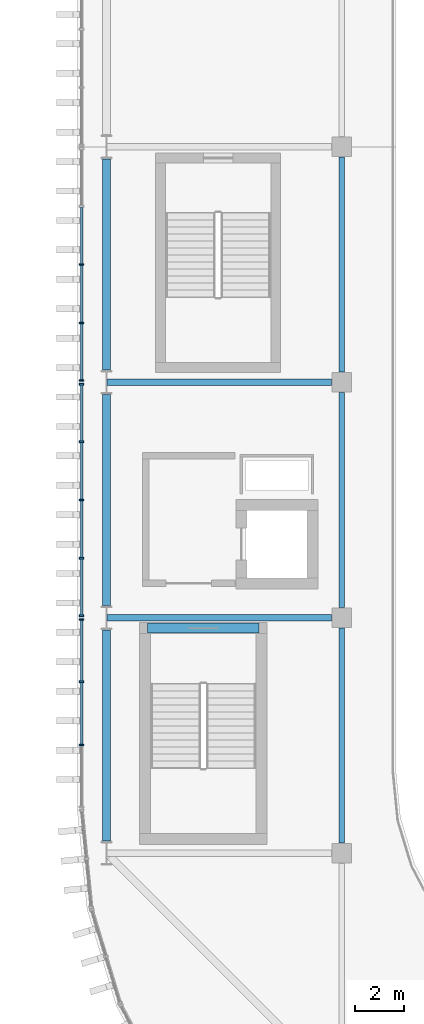
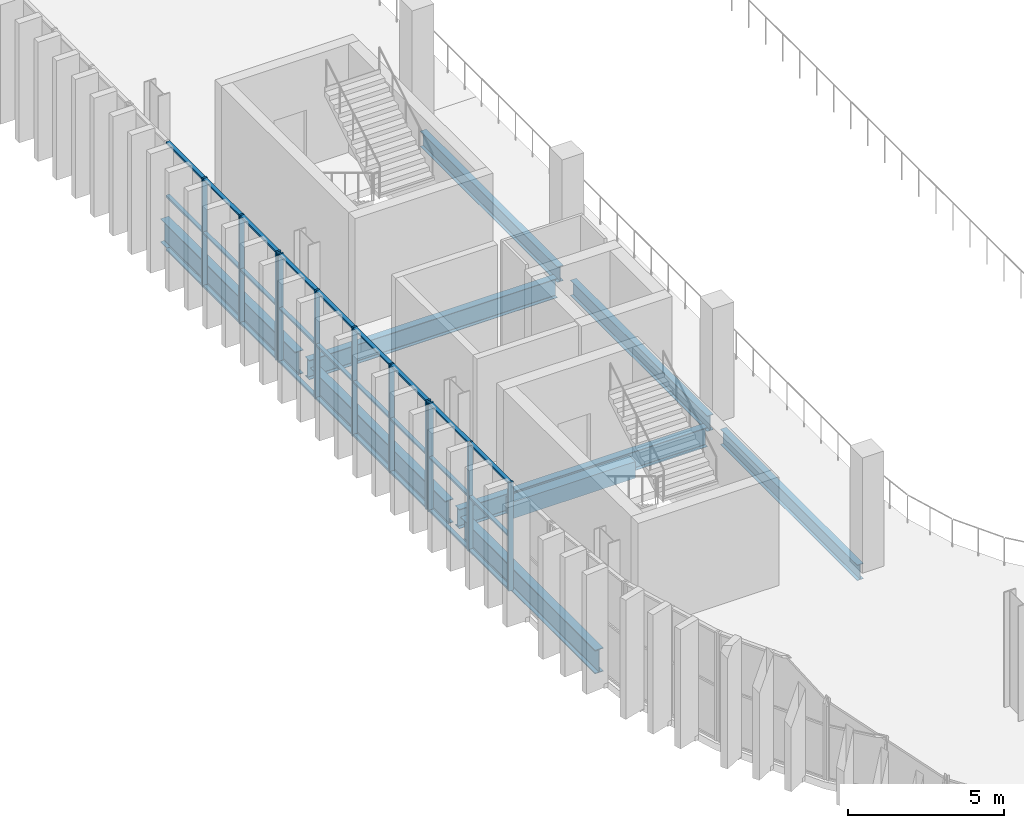
# One storey, part 7 of 75: 38 members, 9 beams, 3 elements without a shape of their own.
"""IFC4 building model written with IfcOpenShell, lengths in metres."""

from ifc_helpers import new_model, si_unit, direction, frame, origin, origin_2d, place, context, subcontext, project, spatial, rectangle, i_section, extrude, material, layer, layer_set, material_profile, profile_set, type_object, element, aggregate, save


model = new_model("IFC4")

# Units and contexts
model_context = context("Model", 3, precision=1e-05, world=origin(), true_north=direction((0.0, 1.0)))
body_context = subcontext(model_context, "Body", "Model", "MODEL_VIEW")
ifc_project = project(units=[si_unit("LENGTHUNIT", "METRE"), si_unit("AREAUNIT", "SQUARE_METRE"), si_unit("VOLUMEUNIT", "CUBIC_METRE"), si_unit("PLANEANGLEUNIT", "RADIAN"), si_unit("MASSUNIT", "GRAM", prefix="KILO")], contexts=[model_context])

# Site, building, storey
site_placement = place(None, origin())
site = spatial("IfcSite", under=ifc_project, at=site_placement, CompositionType="ELEMENT")
building_placement = place(site_placement, origin())
building = spatial("IfcBuilding", under=site, at=building_placement, Name="Caelomonte Colonnade Arena", CompositionType="ELEMENT")
storey_placement = place(building_placement, frame((0.0, 0.0, 14.10009765625)))
storey = spatial("IfcBuildingStorey", under=building, at=storey_placement, Name="L03", CompositionType="ELEMENT", Elevation=14.10009765625)

# Curtain wall, members
ifc_material_1 = material(Name="Bronze anodised aluminium and low-E glazing", Category="aluminium")
ifc_layer_1 = layer(ifc_material_1, 0.179931640625)
ifc_layer_set_1 = layer_set([ifc_layer_1], Name="Bronze anodised aluminium and low-E glazing")
curtain_wall_type_1 = type_object("IfcCurtainWallType", Name="ENV-CW-CW-L03-96-42", PredefinedType="USERDEFINED", material=ifc_layer_set_1)
curtain_wall_1_placement = place(storey_placement, origin())
curtain_wall_1 = element("IfcCurtainWall", 1, at=curtain_wall_1_placement, inside=storey, type_object=curtain_wall_type_1, Name="L03 unitized curtain wall CW-L03-0566-0624", ObjectType="UNITIZED CURTAIN WALL", PredefinedType="USERDEFINED")
ifc_material_2 = material(Name="Bronze anodised aluminium AA6063-T6", Category="aluminium")
ifc_material_profile_1 = material_profile(ifc_material_2, rectangle(XDim=0.070068359375, YDim=0.179931640625, at=origin_2d()), Name="CWM-70X180")
ifc_profile_set_1 = profile_set([ifc_material_profile_1], Name="Bronze anodised aluminium AA6063-T6")
member_type_1 = type_object("IfcMemberType", Name="ENV-CW-MULL1", PredefinedType="MULLION", material=ifc_profile_set_1)
member_1_placement = place(storey_placement, frame((56.580078125, 62.39990234375, 0.0), z_axis=(0.0, 0.0, 1.0), x_axis=(0.0, -1.0, 0.0)))
member_1 = element("IfcMember", 2, at=member_1_placement, type_object=member_type_1, Name="CW-L03-96-42 mullion 3", PredefinedType="MULLION", context=body_context, shape_type="SweptSolid", body=[
    extrude(rectangle(XDim=0.070068359375, YDim=0.179931640625, at=origin_2d()), origin(), (0.0, 0.0, 1.0), 4.239990234375),
])
member_2_placement = place(storey_placement, frame((56.580078125, 60.02001953125, 0.0), z_axis=(0.0, 0.0, 1.0), x_axis=(0.0, -1.0, 0.0)))
member_2 = element("IfcMember", 3, at=member_2_placement, type_object=member_type_1, Name="CW-L03-96-42 mullion 4", PredefinedType="MULLION", context=body_context, shape_type="SweptSolid", body=[
    extrude(rectangle(XDim=0.070068359375, YDim=0.179931640625, at=origin_2d()), origin(), (0.0, 0.0, 1.0), 4.239990234375),
])
member_3_placement = place(storey_placement, frame((56.580078125, 57.675048828125, 0.0), z_axis=(0.0, 0.0, 1.0), x_axis=(0.0, -1.0, 0.0)))
member_3 = element("IfcMember", 4, at=member_3_placement, type_object=member_type_1, Name="CW-L03-96-42 mullion 5", PredefinedType="MULLION", context=body_context, shape_type="SweptSolid", body=[
    extrude(rectangle(XDim=0.070068359375, YDim=0.179931640625, at=origin_2d()), origin(), (0.0, 0.0, 1.0), 4.239990234375),
])

curtain_wall_2_placement = place(storey_placement, origin())
curtain_wall_2 = element("IfcCurtainWall", 5, at=curtain_wall_2_placement, inside=storey, type_object=curtain_wall_type_1, Name="L03 unitized curtain wall CW-L03-0566-0528", ObjectType="UNITIZED CURTAIN WALL", PredefinedType="USERDEFINED")
member_4_placement = place(storey_placement, frame((56.580078125, 57.52490234375, 0.0), z_axis=(0.0, 0.0, 1.0), x_axis=(0.0, -1.0, 0.0)))
member_4 = element("IfcMember", 6, at=member_4_placement, type_object=member_type_1, Name="CW-L03-96-42 mullion 1", PredefinedType="MULLION", context=body_context, shape_type="SweptSolid", body=[
    extrude(rectangle(XDim=0.070068359375, YDim=0.179931640625, at=origin_2d()), origin(), (0.0, 0.0, 1.0), 4.239990234375),
])
member_5_placement = place(storey_placement, frame((56.580078125, 55.179931640625, 0.0), z_axis=(0.0, 0.0, 1.0), x_axis=(0.0, -1.0, 0.0)))
member_5 = element("IfcMember", 7, at=member_5_placement, type_object=member_type_1, Name="CW-L03-96-42 mullion 2", PredefinedType="MULLION", context=body_context, shape_type="SweptSolid", body=[
    extrude(rectangle(XDim=0.070068359375, YDim=0.179931640625, at=origin_2d()), origin(), (0.0, 0.0, 1.0), 4.239990234375),
])
member_6_placement = place(storey_placement, frame((56.580078125, 52.800048828125, 0.0), z_axis=(0.0, 0.0, 1.0), x_axis=(0.0, -1.0, 0.0)))
member_6 = element("IfcMember", 8, at=member_6_placement, type_object=member_type_1, Name="CW-L03-96-42 mullion 3", PredefinedType="MULLION", context=body_context, shape_type="SweptSolid", body=[
    extrude(rectangle(XDim=0.070068359375, YDim=0.179931640625, at=origin_2d()), origin(), (0.0, 0.0, 1.0), 4.239990234375),
])
member_7_placement = place(storey_placement, frame((56.580078125, 50.419921875, 0.0), z_axis=(0.0, 0.0, 1.0), x_axis=(0.0, -1.0, 0.0)))
member_7 = element("IfcMember", 9, at=member_7_placement, type_object=member_type_1, Name="CW-L03-96-42 mullion 4", PredefinedType="MULLION", context=body_context, shape_type="SweptSolid", body=[
    extrude(rectangle(XDim=0.070068359375, YDim=0.179931640625, at=origin_2d()), origin(), (0.0, 0.0, 1.0), 4.239990234375),
])
member_8_placement = place(storey_placement, frame((56.580078125, 48.074951171875, 0.0), z_axis=(0.0, 0.0, 1.0), x_axis=(0.0, -1.0, 0.0)))
member_8 = element("IfcMember", 10, at=member_8_placement, type_object=member_type_1, Name="CW-L03-96-42 mullion 5", PredefinedType="MULLION", context=body_context, shape_type="SweptSolid", body=[
    extrude(rectangle(XDim=0.070068359375, YDim=0.179931640625, at=origin_2d()), origin(), (0.0, 0.0, 1.0), 4.239990234375),
])

ifc_layer_2 = layer(ifc_material_1, 0.179931640625)
ifc_layer_set_2 = layer_set([ifc_layer_2], Name="Bronze anodised aluminium and low-E glazing")
curtain_wall_type_2 = type_object("IfcCurtainWallType", Name="ENV-CW-CW-L03-79-42", PredefinedType="USERDEFINED", material=ifc_layer_set_2)
curtain_wall_3_placement = place(storey_placement, origin())
curtain_wall_3 = element("IfcCurtainWall", 11, at=curtain_wall_3_placement, inside=storey, type_object=curtain_wall_type_2, Name="L03 unitized curtain wall CW-L03-0566-0440", ObjectType="UNITIZED CURTAIN WALL", PredefinedType="USERDEFINED")
member_9_placement = place(storey_placement, frame((56.580078125, 47.925048828125, 0.0), z_axis=(0.0, 0.0, 1.0), x_axis=(0.0, -1.0, 0.0)))
member_9 = element("IfcMember", 12, at=member_9_placement, type_object=member_type_1, Name="CW-L03-79-42 mullion 1", PredefinedType="MULLION", context=body_context, shape_type="SweptSolid", body=[
    extrude(rectangle(XDim=0.070068359375, YDim=0.179931640625, at=origin_2d()), origin(), (0.0, 0.0, 1.0), 4.239990234375),
])
member_10_placement = place(storey_placement, frame((56.580078125, 45.38671875, 0.0), z_axis=(0.0, 0.0, 1.0), x_axis=(0.0, -1.0, 0.0)))
member_10 = element("IfcMember", 13, at=member_10_placement, type_object=member_type_1, Name="CW-L03-79-42 mullion 2", PredefinedType="MULLION", context=body_context, shape_type="SweptSolid", body=[
    extrude(rectangle(XDim=0.070068359375, YDim=0.179931640625, at=origin_2d()), origin(), (0.0, 0.0, 1.0), 4.239990234375),
])
member_11_placement = place(storey_placement, frame((56.580078125, 42.813232421875, 0.0), z_axis=(0.0, 0.0, 1.0), x_axis=(0.0, -1.0, 0.0)))
member_11 = element("IfcMember", 14, at=member_11_placement, type_object=member_type_1, Name="CW-L03-79-42 mullion 3", PredefinedType="MULLION", context=body_context, shape_type="SweptSolid", body=[
    extrude(rectangle(XDim=0.070068359375, YDim=0.179931640625, at=origin_2d()), origin(), (0.0, 0.0, 1.0), 4.239990234375),
])

# Member
ifc_material_profile_2 = material_profile(ifc_material_2, rectangle(XDim=0.070068359375, YDim=0.139892578125, at=origin_2d()), Name="CWT-70X140")
ifc_profile_set_2 = profile_set([ifc_material_profile_2], Name="Bronze anodised aluminium AA6063-T6")
member_type_2 = type_object("IfcMemberType", Name="ENV-CW-TRAN1", PredefinedType="USERDEFINED", material=ifc_profile_set_2)
member_12_placement = place(storey_placement, frame((56.580078125, 64.7451171875, 0.034912109375), z_axis=(0.0, -1.0, 0.0), x_axis=(0.0, 0.0, 1.0)))
member_12 = element("IfcMember", 15, at=member_12_placement, type_object=member_type_2, Name="CW-L03-96-42 transom 2.1", ObjectType="TRANSOM", PredefinedType="USERDEFINED", context=body_context, shape_type="SweptSolid", body=[
    extrude(rectangle(XDim=0.070068359375, YDim=0.139892578125, at=origin_2d()), origin(), (0.0, 0.0, 1.0), 2.31005859375),
])

member_13_placement = place(storey_placement, frame((56.580078125, 64.7451171875, 2.119873046875), z_axis=(0.0, -1.0, 0.0), x_axis=(0.0, 0.0, 1.0)))
member_13 = element("IfcMember", 16, at=member_13_placement, type_object=member_type_2, Name="CW-L03-96-42 transom 2.2", ObjectType="TRANSOM", PredefinedType="USERDEFINED", context=body_context, shape_type="SweptSolid", body=[
    extrude(rectangle(XDim=0.070068359375, YDim=0.139892578125, at=origin_2d()), origin(), (0.0, 0.0, 1.0), 2.31005859375),
])

member_14_placement = place(storey_placement, frame((56.580078125, 64.7451171875, 4.204833984375), z_axis=(0.0, -1.0, 0.0), x_axis=(0.0, 0.0, 1.0)))
member_14 = element("IfcMember", 17, at=member_14_placement, type_object=member_type_2, Name="CW-L03-96-42 transom 2.3", ObjectType="TRANSOM", PredefinedType="USERDEFINED", context=body_context, shape_type="SweptSolid", body=[
    extrude(rectangle(XDim=0.070068359375, YDim=0.139892578125, at=origin_2d()), origin(), (0.0, 0.0, 1.0), 2.31005859375),
])

member_15_placement = place(storey_placement, frame((56.580078125, 62.364990234375, 0.034912109375), z_axis=(0.0, -1.0, 0.0), x_axis=(0.0, 0.0, 1.0)))
member_15 = element("IfcMember", 18, at=member_15_placement, type_object=member_type_2, Name="CW-L03-96-42 transom 3.1", ObjectType="TRANSOM", PredefinedType="USERDEFINED", context=body_context, shape_type="SweptSolid", body=[
    extrude(rectangle(XDim=0.070068359375, YDim=0.139892578125, at=origin_2d()), origin(), (0.0, 0.0, 1.0), 2.31005859375),
])

member_16_placement = place(storey_placement, frame((56.580078125, 62.364990234375, 2.119873046875), z_axis=(0.0, -1.0, 0.0), x_axis=(0.0, 0.0, 1.0)))
member_16 = element("IfcMember", 19, at=member_16_placement, type_object=member_type_2, Name="CW-L03-96-42 transom 3.2", ObjectType="TRANSOM", PredefinedType="USERDEFINED", context=body_context, shape_type="SweptSolid", body=[
    extrude(rectangle(XDim=0.070068359375, YDim=0.139892578125, at=origin_2d()), origin(), (0.0, 0.0, 1.0), 2.31005859375),
])

member_17_placement = place(storey_placement, frame((56.580078125, 62.364990234375, 4.204833984375), z_axis=(0.0, -1.0, 0.0), x_axis=(0.0, 0.0, 1.0)))
member_17 = element("IfcMember", 20, at=member_17_placement, type_object=member_type_2, Name="CW-L03-96-42 transom 3.3", ObjectType="TRANSOM", PredefinedType="USERDEFINED", context=body_context, shape_type="SweptSolid", body=[
    extrude(rectangle(XDim=0.070068359375, YDim=0.139892578125, at=origin_2d()), origin(), (0.0, 0.0, 1.0), 2.31005859375),
])

member_18_placement = place(storey_placement, frame((56.580078125, 59.985107421875, 0.034912109375), z_axis=(0.0, -1.0, 0.0), x_axis=(0.0, 0.0, 1.0)))
member_18 = element("IfcMember", 21, at=member_18_placement, type_object=member_type_2, Name="CW-L03-96-42 transom 4.1", ObjectType="TRANSOM", PredefinedType="USERDEFINED", context=body_context, shape_type="SweptSolid", body=[
    extrude(rectangle(XDim=0.070068359375, YDim=0.139892578125, at=origin_2d()), origin(), (0.0, 0.0, 1.0), 2.275146484375),
])

member_19_placement = place(storey_placement, frame((56.580078125, 59.985107421875, 2.119873046875), z_axis=(0.0, -1.0, 0.0), x_axis=(0.0, 0.0, 1.0)))
member_19 = element("IfcMember", 22, at=member_19_placement, type_object=member_type_2, Name="CW-L03-96-42 transom 4.2", ObjectType="TRANSOM", PredefinedType="USERDEFINED", context=body_context, shape_type="SweptSolid", body=[
    extrude(rectangle(XDim=0.070068359375, YDim=0.139892578125, at=origin_2d()), origin(), (0.0, 0.0, 1.0), 2.275146484375),
])

member_20_placement = place(storey_placement, frame((56.580078125, 59.985107421875, 4.204833984375), z_axis=(0.0, -1.0, 0.0), x_axis=(0.0, 0.0, 1.0)))
member_20 = element("IfcMember", 23, at=member_20_placement, type_object=member_type_2, Name="CW-L03-96-42 transom 4.3", ObjectType="TRANSOM", PredefinedType="USERDEFINED", context=body_context, shape_type="SweptSolid", body=[
    extrude(rectangle(XDim=0.070068359375, YDim=0.139892578125, at=origin_2d()), origin(), (0.0, 0.0, 1.0), 2.275146484375),
])

aggregate(curtain_wall_1, [member_1, member_2, member_3, member_12, member_13, member_14, member_15, member_16, member_17, member_18, member_19, member_20])

member_21_placement = place(storey_placement, frame((56.580078125, 57.489990234375, 0.034912109375), z_axis=(0.0, -1.0, 0.0), x_axis=(0.0, 0.0, 1.0)))
member_21 = element("IfcMember", 24, at=member_21_placement, type_object=member_type_2, Name="CW-L03-96-42 transom 1.1", ObjectType="TRANSOM", PredefinedType="USERDEFINED", context=body_context, shape_type="SweptSolid", body=[
    extrude(rectangle(XDim=0.070068359375, YDim=0.139892578125, at=origin_2d()), origin(), (0.0, 0.0, 1.0), 2.27490234375),
])

member_22_placement = place(storey_placement, frame((56.580078125, 57.489990234375, 2.119873046875), z_axis=(0.0, -1.0, 0.0), x_axis=(0.0, 0.0, 1.0)))
member_22 = element("IfcMember", 25, at=member_22_placement, type_object=member_type_2, Name="CW-L03-96-42 transom 1.2", ObjectType="TRANSOM", PredefinedType="USERDEFINED", context=body_context, shape_type="SweptSolid", body=[
    extrude(rectangle(XDim=0.070068359375, YDim=0.139892578125, at=origin_2d()), origin(), (0.0, 0.0, 1.0), 2.27490234375),
])

member_23_placement = place(storey_placement, frame((56.580078125, 57.489990234375, 4.204833984375), z_axis=(0.0, -1.0, 0.0), x_axis=(0.0, 0.0, 1.0)))
member_23 = element("IfcMember", 26, at=member_23_placement, type_object=member_type_2, Name="CW-L03-96-42 transom 1.3", ObjectType="TRANSOM", PredefinedType="USERDEFINED", context=body_context, shape_type="SweptSolid", body=[
    extrude(rectangle(XDim=0.070068359375, YDim=0.139892578125, at=origin_2d()), origin(), (0.0, 0.0, 1.0), 2.27490234375),
])

member_24_placement = place(storey_placement, frame((56.580078125, 55.14501953125, 0.034912109375), z_axis=(0.0, -1.0, 0.0), x_axis=(0.0, 0.0, 1.0)))
member_24 = element("IfcMember", 27, at=member_24_placement, type_object=member_type_2, Name="CW-L03-96-42 transom 2.1", ObjectType="TRANSOM", PredefinedType="USERDEFINED", context=body_context, shape_type="SweptSolid", body=[
    extrude(rectangle(XDim=0.070068359375, YDim=0.139892578125, at=origin_2d()), origin(), (0.0, 0.0, 1.0), 2.31005859375),
])

member_25_placement = place(storey_placement, frame((56.580078125, 55.14501953125, 2.119873046875), z_axis=(0.0, -1.0, 0.0), x_axis=(0.0, 0.0, 1.0)))
member_25 = element("IfcMember", 28, at=member_25_placement, type_object=member_type_2, Name="CW-L03-96-42 transom 2.2", ObjectType="TRANSOM", PredefinedType="USERDEFINED", context=body_context, shape_type="SweptSolid", body=[
    extrude(rectangle(XDim=0.070068359375, YDim=0.139892578125, at=origin_2d()), origin(), (0.0, 0.0, 1.0), 2.31005859375),
])

member_26_placement = place(storey_placement, frame((56.580078125, 55.14501953125, 4.204833984375), z_axis=(0.0, -1.0, 0.0), x_axis=(0.0, 0.0, 1.0)))
member_26 = element("IfcMember", 29, at=member_26_placement, type_object=member_type_2, Name="CW-L03-96-42 transom 2.3", ObjectType="TRANSOM", PredefinedType="USERDEFINED", context=body_context, shape_type="SweptSolid", body=[
    extrude(rectangle(XDim=0.070068359375, YDim=0.139892578125, at=origin_2d()), origin(), (0.0, 0.0, 1.0), 2.31005859375),
])

member_27_placement = place(storey_placement, frame((56.580078125, 52.764892578125, 0.034912109375), z_axis=(0.0, -1.0, 0.0), x_axis=(0.0, 0.0, 1.0)))
member_27 = element("IfcMember", 30, at=member_27_placement, type_object=member_type_2, Name="CW-L03-96-42 transom 3.1", ObjectType="TRANSOM", PredefinedType="USERDEFINED", context=body_context, shape_type="SweptSolid", body=[
    extrude(rectangle(XDim=0.070068359375, YDim=0.139892578125, at=origin_2d()), origin(), (0.0, 0.0, 1.0), 2.309814453125),
])

member_28_placement = place(storey_placement, frame((56.580078125, 52.764892578125, 2.119873046875), z_axis=(0.0, -1.0, 0.0), x_axis=(0.0, 0.0, 1.0)))
member_28 = element("IfcMember", 31, at=member_28_placement, type_object=member_type_2, Name="CW-L03-96-42 transom 3.2", ObjectType="TRANSOM", PredefinedType="USERDEFINED", context=body_context, shape_type="SweptSolid", body=[
    extrude(rectangle(XDim=0.070068359375, YDim=0.139892578125, at=origin_2d()), origin(), (0.0, 0.0, 1.0), 2.309814453125),
])

member_29_placement = place(storey_placement, frame((56.580078125, 52.764892578125, 4.204833984375), z_axis=(0.0, -1.0, 0.0), x_axis=(0.0, 0.0, 1.0)))
member_29 = element("IfcMember", 32, at=member_29_placement, type_object=member_type_2, Name="CW-L03-96-42 transom 3.3", ObjectType="TRANSOM", PredefinedType="USERDEFINED", context=body_context, shape_type="SweptSolid", body=[
    extrude(rectangle(XDim=0.070068359375, YDim=0.139892578125, at=origin_2d()), origin(), (0.0, 0.0, 1.0), 2.309814453125),
])

member_30_placement = place(storey_placement, frame((56.580078125, 50.385009765625, 0.034912109375), z_axis=(0.0, -1.0, 0.0), x_axis=(0.0, 0.0, 1.0)))
member_30 = element("IfcMember", 33, at=member_30_placement, type_object=member_type_2, Name="CW-L03-96-42 transom 4.1", ObjectType="TRANSOM", PredefinedType="USERDEFINED", context=body_context, shape_type="SweptSolid", body=[
    extrude(rectangle(XDim=0.070068359375, YDim=0.139892578125, at=origin_2d()), origin(), (0.0, 0.0, 1.0), 2.27490234375),
])

member_31_placement = place(storey_placement, frame((56.580078125, 50.385009765625, 2.119873046875), z_axis=(0.0, -1.0, 0.0), x_axis=(0.0, 0.0, 1.0)))
member_31 = element("IfcMember", 34, at=member_31_placement, type_object=member_type_2, Name="CW-L03-96-42 transom 4.2", ObjectType="TRANSOM", PredefinedType="USERDEFINED", context=body_context, shape_type="SweptSolid", body=[
    extrude(rectangle(XDim=0.070068359375, YDim=0.139892578125, at=origin_2d()), origin(), (0.0, 0.0, 1.0), 2.27490234375),
])

member_32_placement = place(storey_placement, frame((56.580078125, 50.385009765625, 4.204833984375), z_axis=(0.0, -1.0, 0.0), x_axis=(0.0, 0.0, 1.0)))
member_32 = element("IfcMember", 35, at=member_32_placement, type_object=member_type_2, Name="CW-L03-96-42 transom 4.3", ObjectType="TRANSOM", PredefinedType="USERDEFINED", context=body_context, shape_type="SweptSolid", body=[
    extrude(rectangle(XDim=0.070068359375, YDim=0.139892578125, at=origin_2d()), origin(), (0.0, 0.0, 1.0), 2.27490234375),
])

aggregate(curtain_wall_2, [member_4, member_5, member_6, member_7, member_8, member_21, member_22, member_23, member_24, member_25, member_26, member_27, member_28, member_29, member_30, member_31, member_32])

member_33_placement = place(storey_placement, frame((56.580078125, 47.889892578125, 0.034912109375), z_axis=(0.0, -1.0, 0.0), x_axis=(0.0, 0.0, 1.0)))
member_33 = element("IfcMember", 36, at=member_33_placement, type_object=member_type_2, Name="CW-L03-79-42 transom 1.1", ObjectType="TRANSOM", PredefinedType="USERDEFINED", context=body_context, shape_type="SweptSolid", body=[
    extrude(rectangle(XDim=0.070068359375, YDim=0.139892578125, at=origin_2d()), origin(), (0.0, 0.0, 1.0), 2.46826171875),
])

member_34_placement = place(storey_placement, frame((56.580078125, 47.889892578125, 2.119873046875), z_axis=(0.0, -1.0, 0.0), x_axis=(0.0, 0.0, 1.0)))
member_34 = element("IfcMember", 37, at=member_34_placement, type_object=member_type_2, Name="CW-L03-79-42 transom 1.2", ObjectType="TRANSOM", PredefinedType="USERDEFINED", context=body_context, shape_type="SweptSolid", body=[
    extrude(rectangle(XDim=0.070068359375, YDim=0.139892578125, at=origin_2d()), origin(), (0.0, 0.0, 1.0), 2.46826171875),
])

member_35_placement = place(storey_placement, frame((56.580078125, 47.889892578125, 4.204833984375), z_axis=(0.0, -1.0, 0.0), x_axis=(0.0, 0.0, 1.0)))
member_35 = element("IfcMember", 38, at=member_35_placement, type_object=member_type_2, Name="CW-L03-79-42 transom 1.3", ObjectType="TRANSOM", PredefinedType="USERDEFINED", context=body_context, shape_type="SweptSolid", body=[
    extrude(rectangle(XDim=0.070068359375, YDim=0.139892578125, at=origin_2d()), origin(), (0.0, 0.0, 1.0), 2.46826171875),
])

member_36_placement = place(storey_placement, frame((56.580078125, 45.3515625, 0.034912109375), z_axis=(0.0, -1.0, 0.0), x_axis=(0.0, 0.0, 1.0)))
member_36 = element("IfcMember", 39, at=member_36_placement, type_object=member_type_2, Name="CW-L03-79-42 transom 2.1", ObjectType="TRANSOM", PredefinedType="USERDEFINED", context=body_context, shape_type="SweptSolid", body=[
    extrude(rectangle(XDim=0.070068359375, YDim=0.139892578125, at=origin_2d()), origin(), (0.0, 0.0, 1.0), 2.503173828125),
])

member_37_placement = place(storey_placement, frame((56.580078125, 45.3515625, 2.119873046875), z_axis=(0.0, -1.0, 0.0), x_axis=(0.0, 0.0, 1.0)))
member_37 = element("IfcMember", 40, at=member_37_placement, type_object=member_type_2, Name="CW-L03-79-42 transom 2.2", ObjectType="TRANSOM", PredefinedType="USERDEFINED", context=body_context, shape_type="SweptSolid", body=[
    extrude(rectangle(XDim=0.070068359375, YDim=0.139892578125, at=origin_2d()), origin(), (0.0, 0.0, 1.0), 2.503173828125),
])

member_38_placement = place(storey_placement, frame((56.580078125, 45.3515625, 4.204833984375), z_axis=(0.0, -1.0, 0.0), x_axis=(0.0, 0.0, 1.0)))
member_38 = element("IfcMember", 41, at=member_38_placement, type_object=member_type_2, Name="CW-L03-79-42 transom 2.3", ObjectType="TRANSOM", PredefinedType="USERDEFINED", context=body_context, shape_type="SweptSolid", body=[
    extrude(rectangle(XDim=0.070068359375, YDim=0.139892578125, at=origin_2d()), origin(), (0.0, 0.0, 1.0), 2.503173828125),
])

aggregate(curtain_wall_3, [member_9, member_10, member_11, member_33, member_34, member_35, member_36, member_37, member_38])

# Beams
ifc_material_3 = material(Name="Wide-flange steel ASTM A992 Grade 50", Category="steel")
ifc_material_profile_3 = material_profile(ifc_material_3, i_section(OverallWidth=0.307861328125, OverallDepth=0.927001953125, WebThickness=0.019287109375, FlangeThickness=0.031982421875, FilletRadius=0.020263671875, at=origin_2d()), Name="W36X194")
ifc_profile_set_3 = profile_set([ifc_material_profile_3], Name="Wide-flange steel ASTM A992 Grade 50")
beam_type_1 = type_object("IfcBeamType", Name="STR-BM-EAVES2", PredefinedType="SPANDREL", material=ifc_profile_set_3)
for number, where, z_axis, x_axis, name in (
    (42, (57.60009765625, 38.8974609375, -0.74365234375), (0.0, 1.0, 0.0), (-1.0, 0.0, 0.0), "L03 girder BMY-L03-0576-0384"),
    (43, (57.60009765625, 48.49755859375, -0.74365234375), (0.0, 1.0, 0.0), (-1.0, 0.0, 0.0), "L03 girder BMY-L03-0576-0480"),
):
    element("IfcBeam", number, at=place(storey_placement, frame(where, z_axis=z_axis, x_axis=x_axis)), inside=storey, type_object=beam_type_1, Name=name, PredefinedType="SPANDREL", context=body_context, shape_type="SweptSolid", body=[
        extrude(i_section(OverallWidth=0.307861328125, OverallDepth=0.927001953125, WebThickness=0.019287109375, FlangeThickness=0.031982421875, FilletRadius=0.020263671875, at=origin_2d()), origin(), (0.0, 0.0, 1.0), 8.60498046875),
    ])
beam_1_placement = place(storey_placement, frame((57.60009765625, 58.097412109375, -0.74365234375), z_axis=(0.0, 1.0, 0.0), x_axis=(-1.0, 0.0, 0.0)))
element("IfcBeam", 44, at=beam_1_placement, inside=storey, type_object=beam_type_1, Name="L03 girder BMY-L03-0576-0576", PredefinedType="SPANDREL", context=body_context, shape_type="SweptSolid", body=[
    extrude(i_section(OverallWidth=0.307861328125, OverallDepth=0.927001953125, WebThickness=0.019287109375, FlangeThickness=0.031982421875, FilletRadius=0.020263671875, at=origin_2d()), origin(), (0.0, 0.0, 1.0), 8.605224609375),
])
ifc_material_profile_4 = material_profile(ifc_material_3, i_section(OverallWidth=0.228271484375, OverallDepth=0.607177734375, WebThickness=0.01123046875, FlangeThickness=0.017333984375, FilletRadius=0.0126953125, at=origin_2d()), Name="W24X76")
ifc_profile_set_4 = profile_set([ifc_material_profile_4], Name="Wide-flange steel ASTM A992 Grade 50")
beam_type_2 = type_object("IfcBeamType", Name="STR-BM-GIRD24", PredefinedType="BEAM", material=ifc_profile_set_4)
for number, where, z_axis, x_axis, name in (
    (45, (67.199951171875, 38.81689453125, -0.58349609375), (0.0, 1.0, 0.0), (-1.0, 0.0, 0.0), "L03 girder BMY-L03-0672-0384"),
    (46, (67.199951171875, 48.4169921875, -0.58349609375), (0.0, 1.0, 0.0), (-1.0, 0.0, 0.0), "L03 girder BMY-L03-0672-0480"),
):
    element("IfcBeam", number, at=place(storey_placement, frame(where, z_axis=z_axis, x_axis=x_axis)), inside=storey, type_object=beam_type_2, Name=name, PredefinedType="BEAM", context=body_context, shape_type="SweptSolid", body=[
        extrude(i_section(OverallWidth=0.228271484375, OverallDepth=0.607177734375, WebThickness=0.01123046875, FlangeThickness=0.017333984375, FilletRadius=0.0126953125, at=origin_2d()), origin(), (0.0, 0.0, 1.0), 8.76611328125),
    ])
beam_2_placement = place(storey_placement, frame((67.199951171875, 58.01708984375, -0.58349609375), z_axis=(0.0, 1.0, 0.0), x_axis=(-1.0, 0.0, 0.0)))
element("IfcBeam", 47, at=beam_2_placement, inside=storey, type_object=beam_type_2, Name="L03 girder BMY-L03-0672-0576", PredefinedType="BEAM", context=body_context, shape_type="SweptSolid", body=[
    extrude(i_section(OverallWidth=0.228271484375, OverallDepth=0.607177734375, WebThickness=0.01123046875, FlangeThickness=0.017333984375, FilletRadius=0.0126953125, at=origin_2d()), origin(), (0.0, 0.0, 1.0), 8.765869140625),
])
ifc_material_profile_5 = material_profile(ifc_material_3, i_section(OverallWidth=0.265380859375, OverallDepth=0.75439453125, WebThickness=0.01318359375, FlangeThickness=0.01708984375, FilletRadius=0.0166015625, at=origin_2d()), Name="W30X99")
ifc_profile_set_5 = profile_set([ifc_material_profile_5], Name="Wide-flange steel ASTM A992 Grade 50")
beam_type_3 = type_object("IfcBeamType", Name="STR-BM-GIRD30B", PredefinedType="BEAM", material=ifc_profile_set_5)
for number, where, z_axis, x_axis, name in (
    (48, (57.61181640625, 48.0, -0.6572265625), (1.0, 0.0, 0.0), (0.0, 1.0, 0.0), "L03 girder BMX-L03-0576-0480"),
    (49, (57.61181640625, 57.60009765625, -0.6572265625), (1.0, 0.0, 0.0), (0.0, 1.0, 0.0), "L03 girder BMX-L03-0576-0576"),
):
    element("IfcBeam", number, at=place(storey_placement, frame(where, z_axis=z_axis, x_axis=x_axis)), inside=storey, type_object=beam_type_3, Name=name, PredefinedType="BEAM", context=body_context, shape_type="SweptSolid", body=[
        extrude(i_section(OverallWidth=0.265380859375, OverallDepth=0.75439453125, WebThickness=0.01318359375, FlangeThickness=0.01708984375, FilletRadius=0.0166015625, at=origin_2d()), origin(), (0.0, 0.0, 1.0), 9.171142578125),
    ])
ifc_material_4 = material(Name="Concrete C40/50", Category="concrete")
ifc_material_profile_6 = material_profile(ifc_material_4, rectangle(XDim=0.39990234375, YDim=0.64990234375, at=origin_2d()), Name="RC400X650")
ifc_profile_set_6 = profile_set([ifc_material_profile_6], Name="Concrete C40/50")
beam_type_4 = type_object("IfcBeamType", Name="STR-BM-LINT40", PredefinedType="LINTEL", material=ifc_profile_set_6)
beam_3_placement = place(storey_placement, frame((59.27490234375, 47.574951171875, -0.60498046875), z_axis=(1.0, 0.0, 0.0), x_axis=(0.0, 1.0, 0.0)))
element("IfcBeam", 50, at=beam_3_placement, inside=storey, type_object=beam_type_4, Name="Core C1 L03 coupling lintel beam", PredefinedType="LINTEL", context=body_context, shape_type="SweptSolid", body=[
    extrude(rectangle(XDim=0.39990234375, YDim=0.64990234375, at=origin_2d()), origin(), (0.0, 0.0, 1.0), 4.550048828125),
])

save(model, "model.ifc")
